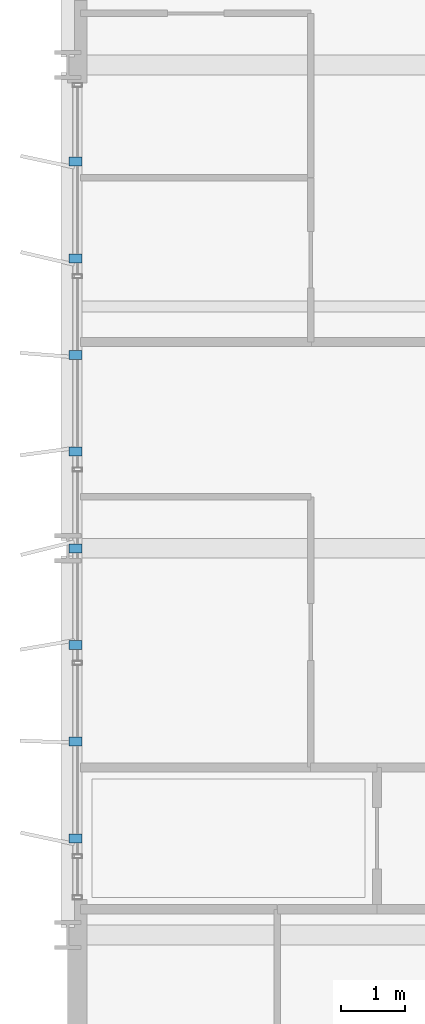
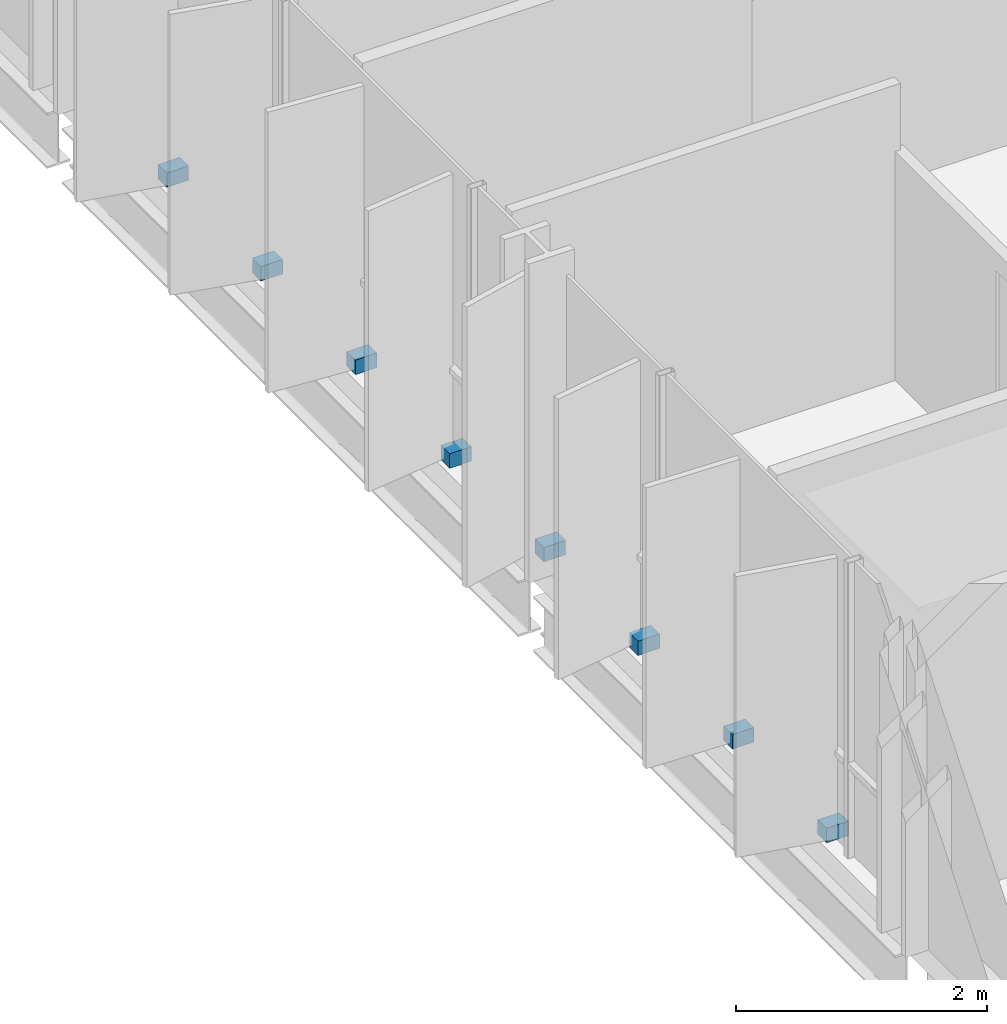
# One storey, part 34 of 39: 8 discrete accessories.
"""IFC4 building model written with IfcOpenShell, lengths in metres."""

import ifcopenshell
import ifcopenshell.guid

model = None  # the IFC model being written
_history = None  # IfcOwnerHistory: only IFC2X3 demands one
_inside = {}  # id of a spatial element -> (the spatial element, [elements in it])
_under = {}  # id of a project, library or spatial element -> (it, [spatial elements below it])
_declared = {}  # id of a project -> (the project, [libraries it declares])
_typed = {}  # id of a type object -> (the type object, [elements of that type])
_made_of = {}  # id of a material, layer set ... -> (it, [elements and type objects made of it])


def new_model(schema):
    """Start an empty IFC model of exactly this schema.

    Asked for "IFC4X3", IfcOpenShell would pick the latest addendum, in which some entities
    have other attributes; the version numbers below select the first issue.
    IFC2X3 requires an IfcOwnerHistory on every rooted entity: one is made here for all.
    """
    global model, _history
    if schema == "IFC4X3":
        model = ifcopenshell.file(schema_version=(4, 3, 0, 0))
    else:
        model = ifcopenshell.file(schema=schema)
    _inside.clear()
    _under.clear()
    _declared.clear()
    _typed.clear()
    _made_of.clear()
    _history = None
    if model.schema == "IFC2X3":
        org = make("IfcOrganization", Name="unknown")
        user = make(
            "IfcPersonAndOrganization",
            ThePerson=make("IfcPerson", FamilyName="unknown"),
            TheOrganization=org,
        )
        app = make(
            "IfcApplication",
            ApplicationDeveloper=org,
            Version="unknown",
            ApplicationFullName="unknown",
            ApplicationIdentifier="unknown",
        )
        _history = make(
            "IfcOwnerHistory",
            OwningUser=user,
            OwningApplication=app,
            ChangeAction="ADDED",
            CreationDate=0,
        )
    return model


def make(cls, **values):
    """One entity of the class cls with the attributes given. An attribute that is None is left unset."""
    return model.create_entity(
        cls, **{name: value for name, value in values.items() if value is not None}
    )


def rooted(cls, **values):
    """An entity with a GlobalId (a new one), such as an element, a storey or a relation."""
    return make(cls, GlobalId=ifcopenshell.guid.new(), OwnerHistory=_history, **values)


def si_unit(unit_type, name, prefix=None):
    """IfcSIUnit, for example si_unit("LENGTHUNIT", "METRE", prefix="MILLI")."""
    return make("IfcSIUnit", UnitType=unit_type, Prefix=prefix, Name=name)


def assignment(units):
    """IfcUnitAssignment: the units of a project."""
    return None if units is None else make("IfcUnitAssignment", Units=units)


def point(xyz):
    """IfcCartesianPoint."""
    return None if xyz is None else make("IfcCartesianPoint", Coordinates=xyz)


def direction(xyz):
    """IfcDirection."""
    return None if xyz is None else make("IfcDirection", DirectionRatios=xyz)


def frame(location, z_axis=None, x_axis=None):
    """IfcAxis2Placement3D, a coordinate frame: its origin and axes. An axis left out is left unset."""
    return make(
        "IfcAxis2Placement3D",
        Location=point(location),
        Axis=direction(z_axis),
        RefDirection=direction(x_axis),
    )


def frame_2d(location, x_axis=None):
    """IfcAxis2Placement2D, a coordinate frame in the plane: its origin and x axis."""
    return make(
        "IfcAxis2Placement2D", Location=point(location), RefDirection=direction(x_axis)
    )


def origin():
    """The frame at (0, 0, 0) with its axes left unset."""
    return frame((0.0, 0.0, 0.0))


def origin_2d():
    """The frame at (0, 0) in the plane with its x axis left unset."""
    return frame_2d((0.0, 0.0))


def place(relative_to, where):
    """IfcLocalPlacement: puts the frame where relative to a parent placement (None: the world)."""
    return make(
        "IfcLocalPlacement", PlacementRelTo=relative_to, RelativePlacement=where
    )


def context(
    kind, dimensions, precision=None, world=None, true_north=None, identifier=None
):
    """IfcGeometricRepresentationContext, for example the 3D "Model" context."""
    return make(
        "IfcGeometricRepresentationContext",
        ContextIdentifier=identifier,
        ContextType=kind,
        CoordinateSpaceDimension=dimensions,
        Precision=precision,
        WorldCoordinateSystem=world,
        TrueNorth=true_north,
    )


def subcontext(parent, identifier, kind, view, scale=None):
    """IfcGeometricRepresentationSubContext, for example "Body" below "Model"."""
    return make(
        "IfcGeometricRepresentationSubContext",
        ContextIdentifier=identifier,
        ContextType=kind,
        ParentContext=parent,
        TargetScale=scale,
        TargetView=view,
    )


def project(units=None, contexts=None):
    """IfcProject with its units and contexts."""
    return rooted(
        "IfcProject",
        Name="project",
        RepresentationContexts=contexts,
        UnitsInContext=assignment(units),
    )


def spatial(cls, under=None, at=None, **own):
    """A site, building, storey or space (cls), placed at a placement, below another one or the project."""
    s = rooted(cls, ObjectPlacement=at, **own)
    if under is not None:
        _under.setdefault(under.id(), (under, []))[1].append(s)
    return s


def profile(cls, at=None, kind="AREA", **sizes):
    """A parametric profile (cls). Its sizes go by their IFC names, for example OverallWidth=200.0."""
    return make(cls, ProfileType=kind, Position=at, **sizes)


def rectangle(**sizes):
    """IfcRectangleProfileDef."""
    return profile("IfcRectangleProfileDef", **sizes)


def extrude(swept, where, along, depth):
    """IfcExtrudedAreaSolid: the profile swept, set in the frame where, extruded along a direction by depth."""
    return make(
        "IfcExtrudedAreaSolid",
        SweptArea=swept,
        Position=where,
        ExtrudedDirection=direction(along),
        Depth=depth,
    )


def shape(context_of_items, identifier, shape_type, items):
    """IfcShapeRepresentation: the items that make up one representation, for example the "Body"."""
    return make(
        "IfcShapeRepresentation",
        ContextOfItems=context_of_items,
        RepresentationIdentifier=identifier,
        RepresentationType=shape_type,
        Items=items,
    )


def material(Name=None, Category=None):
    """IfcMaterial."""
    return make("IfcMaterial", Name=Name, Category=Category)


def made_of(thing, what):
    """Note that an element or type object is made of a material, layer set ...; save() writes the relation."""
    if what is not None:
        _made_of.setdefault(what.id(), (what, []))[1].append(thing)
    return thing


def type_object(cls, material=None, **own):
    """A type object (cls), such as IfcWallType, which elements share."""
    return made_of(rooted(cls, **own), material)


def element(
    cls,
    number,
    at=None,
    inside=None,
    cuts=None,
    type_object=None,
    material=None,
    context=None,
    identifier="Body",
    shape_type=None,
    held_by="IfcProductDefinitionShape",
    body=None,
    shapes=None,
    **own,
):
    """One element of the class cls, such as IfcWall. Its Tag is "e" and its number.

    at: its placement. inside: the storey or other place that contains it. cuts: it is an
    opening in that element (IfcRelVoidsElement). A single representation is given by context,
    identifier, shape_type and body (its items); several are given by shapes. held_by: the class
    of the entity that holds the representations. save() writes the other relations.
    """
    e = rooted(cls, Tag="e%d" % number, ObjectPlacement=at, **own)
    if body is not None:
        shapes = [shape(context, identifier, shape_type, body)]
    if shapes is not None:
        e.Representation = make(held_by, Representations=shapes)
    if inside is not None:
        _inside.setdefault(inside.id(), (inside, []))[1].append(e)
    if cuts is not None:
        rooted(
            "IfcRelVoidsElement", RelatingBuildingElement=cuts, RelatedOpeningElement=e
        )
    if type_object is not None:
        _typed.setdefault(type_object.id(), (type_object, []))[1].append(e)
    return made_of(e, material)


def aggregate(whole, parts):
    """IfcRelAggregates: a whole, such as a stair, and the parts it consists of."""
    return rooted("IfcRelAggregates", RelatingObject=whole, RelatedObjects=parts)


def save(model, path):
    """Write the relations noted so far, then the file.

    IfcRelAggregates (storeys below a building ...), IfcRelContainedInSpatialStructure (elements
    in a storey), IfcRelDefinesByType, IfcRelAssociatesMaterial and IfcRelDeclares: one each for
    every whole, place, type object, material and project.
    """
    for whole, parts in _under.values():
        aggregate(whole, parts)
    for where, things in _inside.values():
        rooted(
            "IfcRelContainedInSpatialStructure",
            RelatedElements=things,
            RelatingStructure=where,
        )
    for kind, things in _typed.values():
        rooted("IfcRelDefinesByType", RelatedObjects=things, RelatingType=kind)
    for what, things in _made_of.values():
        rooted("IfcRelAssociatesMaterial", RelatedObjects=things, RelatingMaterial=what)
    for by, libraries in _declared.values():
        rooted("IfcRelDeclares", RelatingContext=by, RelatedDefinitions=libraries)
    model.write(path)


model = new_model("IFC4")

# Units and contexts
model_context = context("Model", 3, precision=1e-05, world=origin(), true_north=direction((0.0, 1.0)))
body_context = subcontext(model_context, "Body", "Model", "MODEL_VIEW")
ifc_project = project(units=[si_unit("LENGTHUNIT", "METRE"), si_unit("AREAUNIT", "SQUARE_METRE"), si_unit("VOLUMEUNIT", "CUBIC_METRE"), si_unit("PLANEANGLEUNIT", "RADIAN"), si_unit("MASSUNIT", "GRAM", prefix="KILO")], contexts=[model_context])

# Site, building, storey
site_placement = place(None, origin())
site = spatial("IfcSite", under=ifc_project, at=site_placement, CompositionType="ELEMENT")
building_placement = place(site_placement, origin())
building = spatial("IfcBuilding", under=site, at=building_placement, Name="Brevholm Reach", CompositionType="ELEMENT")
storey_placement = place(building_placement, frame((0.0, 0.0, 83.800048828125)))
storey = spatial("IfcBuildingStorey", under=building, at=storey_placement, Name="L24", CompositionType="ELEMENT", Elevation=83.800048828125)

# Discrete accessories
ifc_material = material(Name="Duplex Stainless Steel EN 1.4462", Category="steel")
discrete_accessory_type = type_object("IfcDiscreteAccessoryType", Name="ACC-BRK-01", PredefinedType="BRACKET", material=ifc_material)
for number, where, z_axis, x_axis, name in (
    (1, (0.1201171875, 11.5, 0.02978515625), (0.0, 0.0, 1.0), (-1.0, 0.0, 0.0), "L24 Solar Screen Support Bracket 1"),
    (2, (0.1201171875, 13.0, 0.02978515625), (0.0, 0.0, 1.0), (-1.0, 0.0, 0.0), "L24 Solar Screen Support Bracket 2"),
    (3, (0.1201171875, 14.5, 0.02978515625), (0.0, 0.0, 1.0), (-1.0, 0.0, 0.0), "L24 Solar Screen Support Bracket 3"),
    (4, (0.1201171875, 16.0, 0.02978515625), (0.0, 0.0, 1.0), (-1.0, 0.0, 0.0), "L24 Solar Screen Support Bracket 4"),
    (5, (0.1201171875, 17.5, 0.02978515625), (0.0, 0.0, 1.0), (-1.0, 0.0, 0.0), "L24 Solar Screen Support Bracket 5"),
    (6, (0.1201171875, 19.0, 0.02978515625), (0.0, 0.0, 1.0), (-1.0, 0.0, 0.0), "L24 Solar Screen Support Bracket 6"),
    (7, (0.1201171875, 20.5, 0.02978515625), (0.0, 0.0, 1.0), (-1.0, 0.0, 0.0), "L24 Solar Screen Support Bracket 7"),
    (8, (0.1201171875, 22.0, 0.02978515625), (0.0, 0.0, 1.0), (-1.0, 0.0, 0.0), "L24 Solar Screen Support Bracket 8"),
):
    element("IfcDiscreteAccessory", number, at=place(storey_placement, frame(where, z_axis=z_axis, x_axis=x_axis)), inside=storey, type_object=discrete_accessory_type, Name=name, PredefinedType="BRACKET", context=body_context, shape_type="SweptSolid", body=[
        extrude(rectangle(XDim=0.199951171875, YDim=0.139892578125, at=origin_2d()), origin(), (0.0, 0.0, 1.0), 0.139892578125),
    ])

save(model, "model.ifc")
